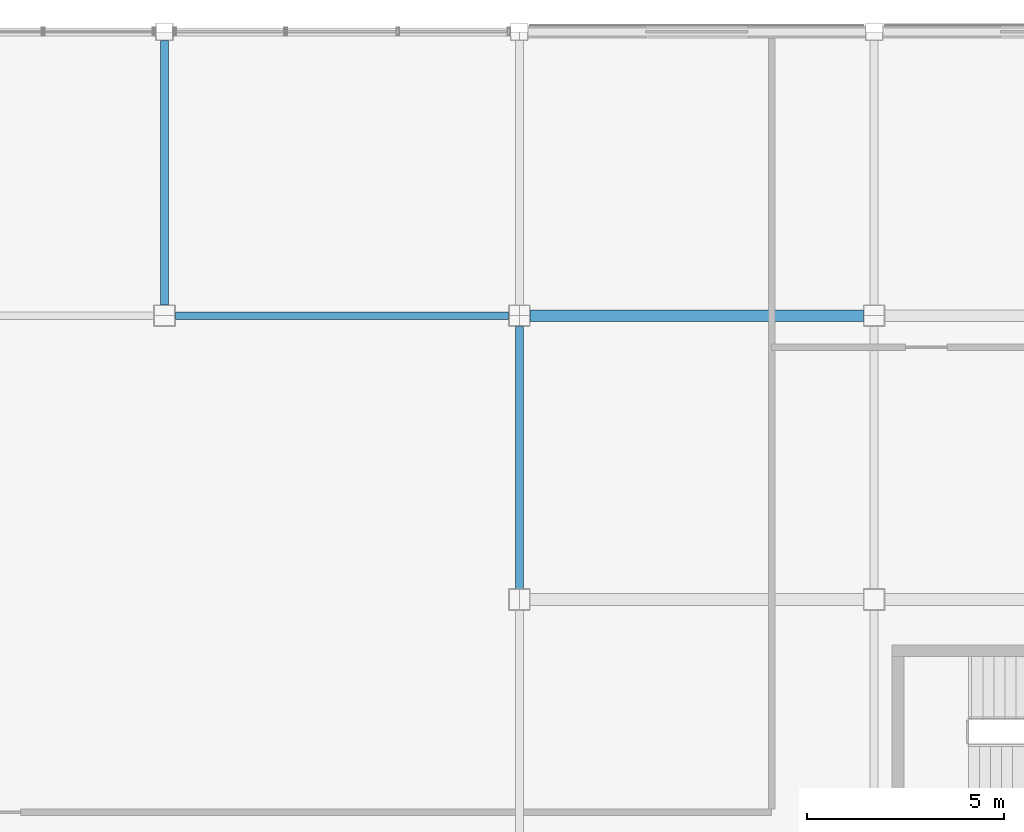
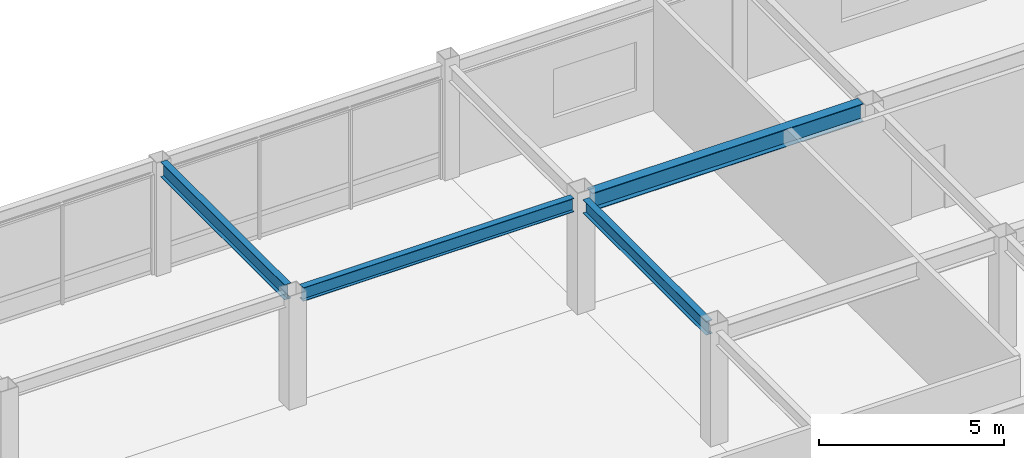
# One storey, part 71 of 113: 4 beams.
"""IFC4 building model written with IfcOpenShell, lengths in metres."""

import ifcopenshell
import ifcopenshell.guid

model = None  # the IFC model being written
_history = None  # IfcOwnerHistory: only IFC2X3 demands one
_inside = {}  # id of a spatial element -> (the spatial element, [elements in it])
_under = {}  # id of a project, library or spatial element -> (it, [spatial elements below it])
_declared = {}  # id of a project -> (the project, [libraries it declares])
_typed = {}  # id of a type object -> (the type object, [elements of that type])
_made_of = {}  # id of a material, layer set ... -> (it, [elements and type objects made of it])


def new_model(schema):
    """Start an empty IFC model of exactly this schema.

    Asked for "IFC4X3", IfcOpenShell would pick the latest addendum, in which some entities
    have other attributes; the version numbers below select the first issue.
    IFC2X3 requires an IfcOwnerHistory on every rooted entity: one is made here for all.
    """
    global model, _history
    if schema == "IFC4X3":
        model = ifcopenshell.file(schema_version=(4, 3, 0, 0))
    else:
        model = ifcopenshell.file(schema=schema)
    _inside.clear()
    _under.clear()
    _declared.clear()
    _typed.clear()
    _made_of.clear()
    _history = None
    if model.schema == "IFC2X3":
        org = make("IfcOrganization", Name="unknown")
        user = make(
            "IfcPersonAndOrganization",
            ThePerson=make("IfcPerson", FamilyName="unknown"),
            TheOrganization=org,
        )
        app = make(
            "IfcApplication",
            ApplicationDeveloper=org,
            Version="unknown",
            ApplicationFullName="unknown",
            ApplicationIdentifier="unknown",
        )
        _history = make(
            "IfcOwnerHistory",
            OwningUser=user,
            OwningApplication=app,
            ChangeAction="ADDED",
            CreationDate=0,
        )
    return model


def make(cls, **values):
    """One entity of the class cls with the attributes given. An attribute that is None is left unset."""
    return model.create_entity(
        cls, **{name: value for name, value in values.items() if value is not None}
    )


def rooted(cls, **values):
    """An entity with a GlobalId (a new one), such as an element, a storey or a relation."""
    return make(cls, GlobalId=ifcopenshell.guid.new(), OwnerHistory=_history, **values)


def si_unit(unit_type, name, prefix=None):
    """IfcSIUnit, for example si_unit("LENGTHUNIT", "METRE", prefix="MILLI")."""
    return make("IfcSIUnit", UnitType=unit_type, Prefix=prefix, Name=name)


def assignment(units):
    """IfcUnitAssignment: the units of a project."""
    return None if units is None else make("IfcUnitAssignment", Units=units)


def point(xyz):
    """IfcCartesianPoint."""
    return None if xyz is None else make("IfcCartesianPoint", Coordinates=xyz)


def direction(xyz):
    """IfcDirection."""
    return None if xyz is None else make("IfcDirection", DirectionRatios=xyz)


def frame(location, z_axis=None, x_axis=None):
    """IfcAxis2Placement3D, a coordinate frame: its origin and axes. An axis left out is left unset."""
    return make(
        "IfcAxis2Placement3D",
        Location=point(location),
        Axis=direction(z_axis),
        RefDirection=direction(x_axis),
    )


def frame_2d(location, x_axis=None):
    """IfcAxis2Placement2D, a coordinate frame in the plane: its origin and x axis."""
    return make(
        "IfcAxis2Placement2D", Location=point(location), RefDirection=direction(x_axis)
    )


def origin():
    """The frame at (0, 0, 0) with its axes left unset."""
    return frame((0.0, 0.0, 0.0))


def origin_2d():
    """The frame at (0, 0) in the plane with its x axis left unset."""
    return frame_2d((0.0, 0.0))


def place(relative_to, where):
    """IfcLocalPlacement: puts the frame where relative to a parent placement (None: the world)."""
    return make(
        "IfcLocalPlacement", PlacementRelTo=relative_to, RelativePlacement=where
    )


def context(
    kind, dimensions, precision=None, world=None, true_north=None, identifier=None
):
    """IfcGeometricRepresentationContext, for example the 3D "Model" context."""
    return make(
        "IfcGeometricRepresentationContext",
        ContextIdentifier=identifier,
        ContextType=kind,
        CoordinateSpaceDimension=dimensions,
        Precision=precision,
        WorldCoordinateSystem=world,
        TrueNorth=true_north,
    )


def subcontext(parent, identifier, kind, view, scale=None):
    """IfcGeometricRepresentationSubContext, for example "Body" below "Model"."""
    return make(
        "IfcGeometricRepresentationSubContext",
        ContextIdentifier=identifier,
        ContextType=kind,
        ParentContext=parent,
        TargetScale=scale,
        TargetView=view,
    )


def project(units=None, contexts=None):
    """IfcProject with its units and contexts."""
    return rooted(
        "IfcProject",
        Name="project",
        RepresentationContexts=contexts,
        UnitsInContext=assignment(units),
    )


def spatial(cls, under=None, at=None, **own):
    """A site, building, storey or space (cls), placed at a placement, below another one or the project."""
    s = rooted(cls, ObjectPlacement=at, **own)
    if under is not None:
        _under.setdefault(under.id(), (under, []))[1].append(s)
    return s


def profile(cls, at=None, kind="AREA", **sizes):
    """A parametric profile (cls). Its sizes go by their IFC names, for example OverallWidth=200.0."""
    return make(cls, ProfileType=kind, Position=at, **sizes)


def i_section(**sizes):
    """IfcIShapeProfileDef."""
    return profile("IfcIShapeProfileDef", **sizes)


def extrude(swept, where, along, depth):
    """IfcExtrudedAreaSolid: the profile swept, set in the frame where, extruded along a direction by depth."""
    return make(
        "IfcExtrudedAreaSolid",
        SweptArea=swept,
        Position=where,
        ExtrudedDirection=direction(along),
        Depth=depth,
    )


def shape(context_of_items, identifier, shape_type, items):
    """IfcShapeRepresentation: the items that make up one representation, for example the "Body"."""
    return make(
        "IfcShapeRepresentation",
        ContextOfItems=context_of_items,
        RepresentationIdentifier=identifier,
        RepresentationType=shape_type,
        Items=items,
    )


def material(Name=None, Category=None):
    """IfcMaterial."""
    return make("IfcMaterial", Name=Name, Category=Category)


def material_profile(
    of_material, cross_section, Name=None, Category=None, Priority=None
):
    """IfcMaterialProfile: a cross section and its material."""
    return make(
        "IfcMaterialProfile",
        Name=Name,
        Material=of_material,
        Profile=cross_section,
        Priority=Priority,
        Category=Category,
    )


def profile_set(profiles, Name=None, composite=None):
    """IfcMaterialProfileSet."""
    return make(
        "IfcMaterialProfileSet",
        Name=Name,
        MaterialProfiles=profiles,
        CompositeProfile=composite,
    )


def made_of(thing, what):
    """Note that an element or type object is made of a material, layer set ...; save() writes the relation."""
    if what is not None:
        _made_of.setdefault(what.id(), (what, []))[1].append(thing)
    return thing


def type_object(cls, material=None, **own):
    """A type object (cls), such as IfcWallType, which elements share."""
    return made_of(rooted(cls, **own), material)


def element(
    cls,
    number,
    at=None,
    inside=None,
    cuts=None,
    type_object=None,
    material=None,
    context=None,
    identifier="Body",
    shape_type=None,
    held_by="IfcProductDefinitionShape",
    body=None,
    shapes=None,
    **own,
):
    """One element of the class cls, such as IfcWall. Its Tag is "e" and its number.

    at: its placement. inside: the storey or other place that contains it. cuts: it is an
    opening in that element (IfcRelVoidsElement). A single representation is given by context,
    identifier, shape_type and body (its items); several are given by shapes. held_by: the class
    of the entity that holds the representations. save() writes the other relations.
    """
    e = rooted(cls, Tag="e%d" % number, ObjectPlacement=at, **own)
    if body is not None:
        shapes = [shape(context, identifier, shape_type, body)]
    if shapes is not None:
        e.Representation = make(held_by, Representations=shapes)
    if inside is not None:
        _inside.setdefault(inside.id(), (inside, []))[1].append(e)
    if cuts is not None:
        rooted(
            "IfcRelVoidsElement", RelatingBuildingElement=cuts, RelatedOpeningElement=e
        )
    if type_object is not None:
        _typed.setdefault(type_object.id(), (type_object, []))[1].append(e)
    return made_of(e, material)


def aggregate(whole, parts):
    """IfcRelAggregates: a whole, such as a stair, and the parts it consists of."""
    return rooted("IfcRelAggregates", RelatingObject=whole, RelatedObjects=parts)


def save(model, path):
    """Write the relations noted so far, then the file.

    IfcRelAggregates (storeys below a building ...), IfcRelContainedInSpatialStructure (elements
    in a storey), IfcRelDefinesByType, IfcRelAssociatesMaterial and IfcRelDeclares: one each for
    every whole, place, type object, material and project.
    """
    for whole, parts in _under.values():
        aggregate(whole, parts)
    for where, things in _inside.values():
        rooted(
            "IfcRelContainedInSpatialStructure",
            RelatedElements=things,
            RelatingStructure=where,
        )
    for kind, things in _typed.values():
        rooted("IfcRelDefinesByType", RelatedObjects=things, RelatingType=kind)
    for what, things in _made_of.values():
        rooted("IfcRelAssociatesMaterial", RelatedObjects=things, RelatingMaterial=what)
    for by, libraries in _declared.values():
        rooted("IfcRelDeclares", RelatingContext=by, RelatedDefinitions=libraries)
    model.write(path)


model = new_model("IFC4")

# Units and contexts
model_context = context("Model", 3, precision=1e-05, world=origin(), true_north=direction((0.0, 1.0)))
body_context = subcontext(model_context, "Body", "Model", "MODEL_VIEW")
ifc_project = project(units=[si_unit("LENGTHUNIT", "METRE"), si_unit("AREAUNIT", "SQUARE_METRE"), si_unit("VOLUMEUNIT", "CUBIC_METRE"), si_unit("PLANEANGLEUNIT", "RADIAN"), si_unit("MASSUNIT", "GRAM", prefix="KILO")], contexts=[model_context])

# Site, building, storey
site_placement = place(None, origin())
site = spatial("IfcSite", under=ifc_project, at=site_placement, CompositionType="ELEMENT")
building_placement = place(site_placement, origin())
building = spatial("IfcBuilding", under=site, at=building_placement, Name="Kazanami Central Library", CompositionType="ELEMENT")
storey_placement = place(building_placement, frame((0.0, 0.0, 8.800048828125)))
storey = spatial("IfcBuildingStorey", under=building, at=storey_placement, Name="L03", CompositionType="ELEMENT", Elevation=8.800048828125)

# Beams
ifc_material = material(Name="Steel SN490B (325 MPa)", Category="steel")
ifc_material_profile_1 = material_profile(ifc_material, i_section(OverallWidth=0.300048828125, OverallDepth=0.587890625, WebThickness=0.011962890625, FlangeThickness=0.02001953125, at=origin_2d()), Name="H-588x300x12x20")
ifc_profile_set_1 = profile_set([ifc_material_profile_1], Name="Steel SN490B (325 MPa)")
beam_type_1 = type_object("IfcBeamType", Name="BM-G-X2", PredefinedType="BEAM", material=ifc_profile_set_1)
beam_1_placement = place(storey_placement, frame((90.27294921875, 86.39990234375, 3.450927734375), z_axis=(1.0, 0.0, 0.0), x_axis=(0.0, 1.0, 0.0)))
element("IfcBeam", 1, at=beam_1_placement, inside=storey, type_object=beam_type_1, Name="Girder G-X2 L03 N/11-12", PredefinedType="BEAM", context=body_context, shape_type="SweptSolid", body=[
    extrude(i_section(OverallWidth=0.300048828125, OverallDepth=0.587890625, WebThickness=0.011962890625, FlangeThickness=0.02001953125, at=origin_2d()), origin(), (0.0, 0.0, 1.0), 8.4541015625),
])
ifc_material_profile_2 = material_profile(ifc_material, i_section(OverallWidth=0.199951171875, OverallDepth=0.5, WebThickness=0.010009765625, FlangeThickness=0.01611328125, at=origin_2d()), Name="H-500x200x10x16")
ifc_profile_set_2 = profile_set([ifc_material_profile_2], Name="Steel SN490B (325 MPa)")
beam_type_2 = type_object("IfcBeamType", Name="BM-G-Y2", PredefinedType="BEAM", material=ifc_profile_set_2)
beam_2_placement = place(storey_placement, frame((81.0, 86.673095703125, 3.494873046875), z_axis=(0.0, 1.0, 0.0), x_axis=(-1.0, 0.0, 0.0)))
element("IfcBeam", 2, at=beam_2_placement, inside=storey, type_object=beam_type_2, Name="Girder G-Y2 L03 10/N-O", PredefinedType="BEAM", context=body_context, shape_type="SweptSolid", body=[
    extrude(i_section(OverallWidth=0.199951171875, OverallDepth=0.5, WebThickness=0.010009765625, FlangeThickness=0.01611328125, at=origin_2d()), origin(), (0.0, 0.0, 1.0), 6.703857421875),
])
ifc_material_profile_3 = material_profile(ifc_material, i_section(OverallWidth=0.199951171875, OverallDepth=0.449951171875, WebThickness=0.009033203125, FlangeThickness=0.013916015625, at=origin_2d()), Name="H-450x200x9x14")
ifc_profile_set_3 = profile_set([ifc_material_profile_3], Name="Steel SN490B (325 MPa)")
beam_type_3 = type_object("IfcBeamType", Name="BM-SP-2", PredefinedType="SPANDREL", material=ifc_profile_set_3)
beam_3_placement = place(storey_placement, frame((81.27294921875, 86.39990234375, 3.52001953125), z_axis=(1.0, 0.0, 0.0), x_axis=(0.0, 1.0, 0.0)))
element("IfcBeam", 3, at=beam_3_placement, inside=storey, type_object=beam_type_3, Name="Girder SP-2 L03 N/10-11", PredefinedType="SPANDREL", context=body_context, shape_type="SweptSolid", body=[
    extrude(i_section(OverallWidth=0.199951171875, OverallDepth=0.449951171875, WebThickness=0.009033203125, FlangeThickness=0.013916015625, at=origin_2d()), origin(), (0.0, 0.0, 1.0), 8.4541015625),
])
beam_4_placement = place(storey_placement, frame((90.0, 79.472900390625, 3.52001953125), z_axis=(0.0, 1.0, 0.0), x_axis=(-1.0, 0.0, 0.0)))
element("IfcBeam", 4, at=beam_4_placement, inside=storey, type_object=beam_type_3, Name="Girder SP-2 L03 11/M-N", PredefinedType="SPANDREL", context=body_context, shape_type="SweptSolid", body=[
    extrude(i_section(OverallWidth=0.199951171875, OverallDepth=0.449951171875, WebThickness=0.009033203125, FlangeThickness=0.013916015625, at=origin_2d()), origin(), (0.0, 0.0, 1.0), 6.654052734375),
])

save(model, "model.ifc")
